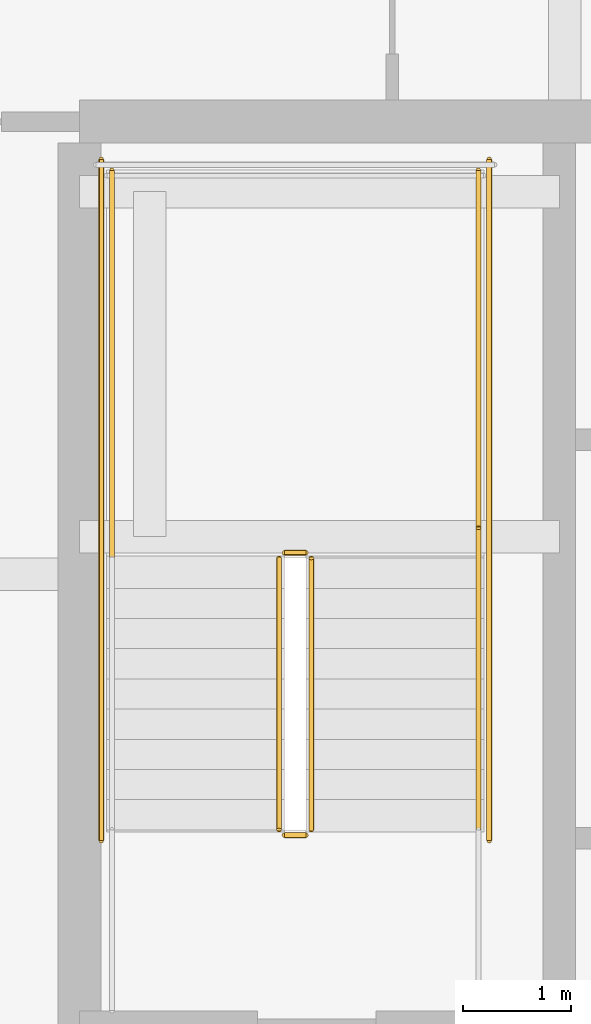
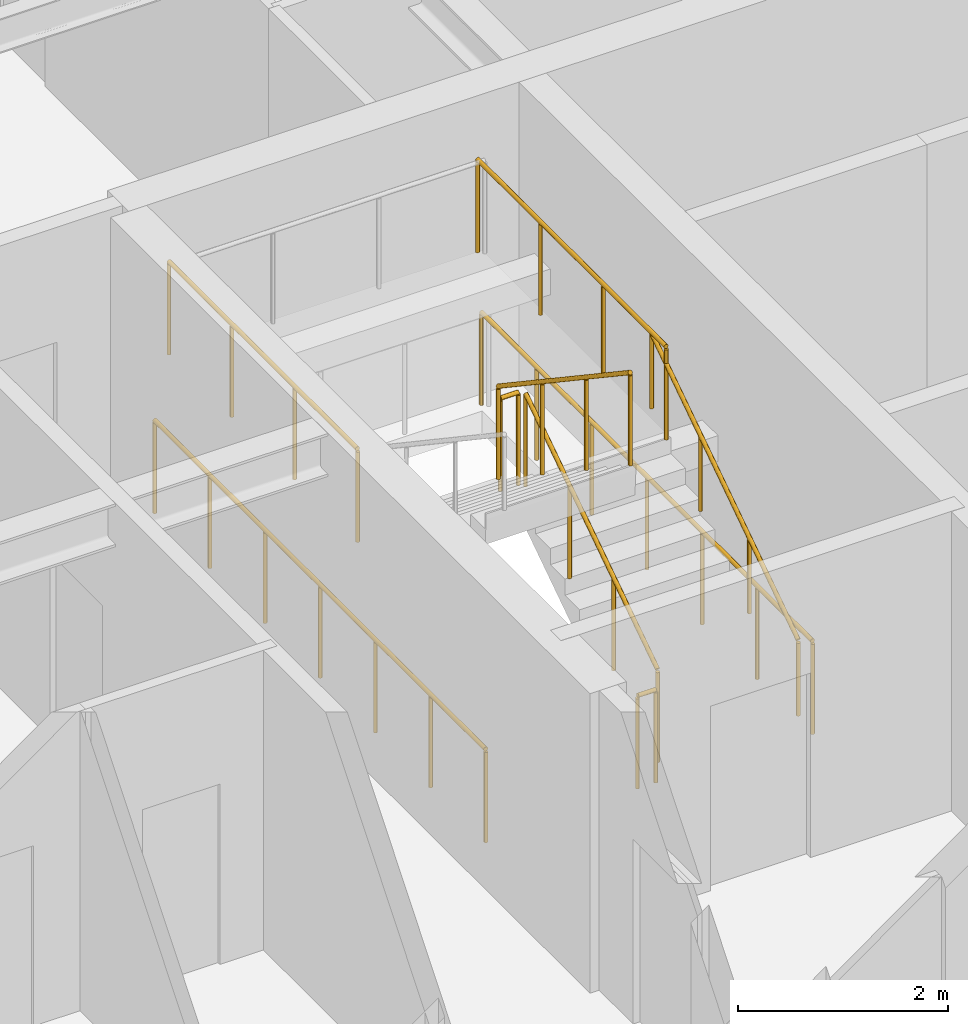
# One storey, part 35 of 38: 9 railings.
"""IFC4 building model written with IfcOpenShell, lengths in metres."""

from ifc_helpers import new_model, si_unit, direction, frame, origin, origin_2d, place, context, subcontext, project, spatial, circle, extrude, material, type_object, element, save


model = new_model("IFC4")

# Units and contexts
model_context = context("Model", 3, precision=1e-05, world=origin(), true_north=direction((0.0, 1.0)))
body_context = subcontext(model_context, "Body", "Model", "MODEL_VIEW")
ifc_project = project(units=[si_unit("LENGTHUNIT", "METRE"), si_unit("AREAUNIT", "SQUARE_METRE"), si_unit("VOLUMEUNIT", "CUBIC_METRE"), si_unit("PLANEANGLEUNIT", "RADIAN"), si_unit("MASSUNIT", "GRAM", prefix="KILO")], contexts=[model_context])

# Site, building, storey
site_placement = place(None, origin())
site = spatial("IfcSite", under=ifc_project, at=site_placement, CompositionType="ELEMENT")
building_placement = place(site_placement, origin())
building = spatial("IfcBuilding", under=site, at=building_placement, Name="Serunith Strait Residences", CompositionType="ELEMENT")
storey_placement = place(building_placement, frame((0.0, 0.0, 183.89990234375)))
storey = spatial("IfcBuildingStorey", under=building, at=storey_placement, Name="L46", CompositionType="ELEMENT", Elevation=183.89990234375)

# Railings
ifc_material = material(Name="Brushed stainless steel 316L", Category="steel")
railing_type_1 = type_object("IfcRailingType", Name="RLG-STAIR-GUARD", PredefinedType="BALUSTRADE", material=ifc_material)
railing_1_placement = place(storey_placement, frame((25.550048828125, 27.030029296875, 0.1875)))
element("IfcRailing", 1, at=railing_1_placement, inside=storey, type_object=railing_type_1, Name="L46 ST-1 stair guard 1", PredefinedType="BALUSTRADE", context=body_context, shape_type="SweptSolid", body=[
    extrude(circle(Radius=0.02392578125, at=origin_2d()), frame((0.0, 0.001708984375, 1.0771484375), z_axis=(0.0, 0.830909170722, 0.55640807867), x_axis=(-1.0, 0.0, 0.0)), (0.0, 0.0, 1.0), 3.02880859375),
    extrude(circle(Radius=0.02099609375, at=origin_2d()), origin(), (0.0, 0.0, 1.0), 1.050048828125),
    extrude(circle(Radius=0.02099609375, at=origin_2d()), frame((0.0, 0.840087890625, 0.5625)), (0.0, 0.0, 1.0), 1.050048828125),
    extrude(circle(Radius=0.02099609375, at=origin_2d()), frame((0.0, 1.679931640625, 1.125)), (0.0, 0.0, 1.0), 1.050048828125),
    extrude(circle(Radius=0.02099609375, at=origin_2d()), frame((0.0, 2.52001953125, 1.6875)), (0.0, 0.0, 1.0), 1.050048828125),
])
railing_2_placement = place(storey_placement, frame((25.5, 29.60009765625, 1.875)))
element("IfcRailing", 2, at=railing_2_placement, inside=storey, type_object=railing_type_1, Name="L46 ST-1 stair guard 2", PredefinedType="BALUSTRADE", context=body_context, shape_type="SweptSolid", body=[
    extrude(circle(Radius=0.02392578125, at=origin_2d()), frame((-0.001953125, 0.0, 1.076171875), z_axis=(-1.0, 0.0, 0.0), x_axis=(0.0, -1.0, 0.0)), (0.0, 0.0, 1.0), 0.196044921875),
    extrude(circle(Radius=0.02099609375, at=origin_2d()), origin(), (0.0, 0.0, 1.0), 1.050048828125),
    extrude(circle(Radius=0.02099609375, at=origin_2d()), frame((-0.199951171875, 0.0, 0.0)), (0.0, 0.0, 1.0), 1.050048828125),
])
for number, where, name in (
    (3, (27.10009765625, 29.550048828125, 1.875), "L46 ST-1 stair guard 3"),
    (4, (23.699951171875, 29.550048828125, 1.875), "L46 ST-1 stair guard 4"),
):
    element("IfcRailing", number, at=place(storey_placement, frame(where)), inside=storey, type_object=railing_type_1, Name=name, PredefinedType="BALUSTRADE", context=body_context, shape_type="SweptSolid", body=[
        extrude(circle(Radius=0.02392578125, at=origin_2d()), frame((0.0, 0.001953125, 1.076171875), z_axis=(0.0, 1.0, 0.0), x_axis=(-1.0, 0.0, 0.0)), (0.0, 0.0, 1.0), 3.595947265625),
        extrude(circle(Radius=0.02099609375, at=origin_2d()), origin(), (0.0, 0.0, 1.0), 1.050048828125),
        extrude(circle(Radius=0.02099609375, at=origin_2d()), frame((0.0, 1.199951171875, 0.0)), (0.0, 0.0, 1.0), 1.050048828125),
        extrude(circle(Radius=0.02099609375, at=origin_2d()), frame((0.0, 2.39990234375, 0.0)), (0.0, 0.0, 1.0), 1.050048828125),
        extrude(circle(Radius=0.02099609375, at=origin_2d()), frame((0.0, 3.599853515625, 0.0)), (0.0, 0.0, 1.0), 1.050048828125),
    ])
railing_3_placement = place(storey_placement, frame((25.25, 29.550048828125, 2.0625)))
element("IfcRailing", 5, at=railing_3_placement, inside=storey, type_object=railing_type_1, Name="L46 ST-1 stair guard 6", PredefinedType="BALUSTRADE", context=body_context, shape_type="SweptSolid", body=[
    extrude(circle(Radius=0.02392578125, at=origin_2d()), frame((0.0, -0.001708984375, 1.0771484375), z_axis=(0.0, -0.830909170722, 0.55640807867), x_axis=(1.0, 0.0, 0.0)), (0.0, 0.0, 1.0), 3.02880859375),
    extrude(circle(Radius=0.02099609375, at=origin_2d()), origin(), (0.0, 0.0, 1.0), 1.050048828125),
    extrude(circle(Radius=0.02099609375, at=origin_2d()), frame((0.0, -0.840087890625, 0.5625)), (0.0, 0.0, 1.0), 1.050048828125),
    extrude(circle(Radius=0.02099609375, at=origin_2d()), frame((0.0, -1.679931640625, 1.125)), (0.0, 0.0, 1.0), 1.050048828125),
    extrude(circle(Radius=0.02099609375, at=origin_2d()), frame((0.0, -2.52001953125, 1.6875)), (0.0, 0.0, 1.0), 1.050048828125),
])
railing_4_placement = place(storey_placement, frame((25.5, 26.97998046875, 0.0)))
element("IfcRailing", 6, at=railing_4_placement, inside=storey, type_object=railing_type_1, Name="L46 ST-1 stair guard 7", PredefinedType="BALUSTRADE", context=body_context, shape_type="SweptSolid", body=[
    extrude(circle(Radius=0.02392578125, at=origin_2d()), frame((-0.001953125, 0.0, 1.076171875), z_axis=(-1.0, 0.0, 0.0), x_axis=(0.0, -1.0, 0.0)), (0.0, 0.0, 1.0), 0.196044921875),
    extrude(circle(Radius=0.02099609375, at=origin_2d()), origin(), (0.0, 0.0, 1.0), 1.050048828125),
    extrude(circle(Radius=0.02099609375, at=origin_2d()), frame((-0.199951171875, 0.0, 0.0)), (0.0, 0.0, 1.0), 1.050048828125),
])
for number, where, name in (
    (7, (27.199951171875, 26.929931640625, 0.0), "L46 ST-1 stair guard 10"),
    (8, (23.60009765625, 26.929931640625, 0.0), "L46 ST-1 stair guard 11"),
):
    element("IfcRailing", number, at=place(storey_placement, frame(where)), inside=storey, type_object=railing_type_1, Name=name, PredefinedType="BALUSTRADE", context=body_context, shape_type="SweptSolid", body=[
        extrude(circle(Radius=0.02392578125, at=origin_2d()), frame((0.0, 0.001953125, 1.076171875), z_axis=(0.0, 1.0, 0.0), x_axis=(-1.0, 0.0, 0.0)), (0.0, 0.0, 1.0), 6.316162109375),
        extrude(circle(Radius=0.02099609375, at=origin_2d()), origin(), (0.0, 0.0, 1.0), 1.050048828125),
        extrude(circle(Radius=0.02099609375, at=origin_2d()), frame((0.0, 1.05322265625, 0.0)), (0.0, 0.0, 1.0), 1.050048828125),
        extrude(circle(Radius=0.02099609375, at=origin_2d()), frame((0.0, 2.106689453125, 0.0)), (0.0, 0.0, 1.0), 1.050048828125),
        extrude(circle(Radius=0.02099609375, at=origin_2d()), frame((0.0, 3.16015625, 0.0)), (0.0, 0.0, 1.0), 1.050048828125),
        extrude(circle(Radius=0.02099609375, at=origin_2d()), frame((0.0, 4.21337890625, 0.0)), (0.0, 0.0, 1.0), 1.050048828125),
        extrude(circle(Radius=0.02099609375, at=origin_2d()), frame((0.0, 5.2666015625, 0.0)), (0.0, 0.0, 1.0), 1.050048828125),
        extrude(circle(Radius=0.02099609375, at=origin_2d()), frame((0.0, 6.320068359375, 0.0)), (0.0, 0.0, 1.0), 1.050048828125),
    ])
railing_type_2 = type_object("IfcRailingType", Name="RLG-STAIR-HR", PredefinedType="HANDRAIL", material=ifc_material)
railing_5_placement = place(storey_placement, frame((27.10009765625, 27.030029296875, 0.1875)))
element("IfcRailing", 9, at=railing_5_placement, inside=storey, type_object=railing_type_2, Name="L46 ST-1 stair handrail 1", PredefinedType="HANDRAIL", context=body_context, shape_type="SweptSolid", body=[
    extrude(circle(Radius=0.02392578125, at=origin_2d()), frame((0.0, 0.001708984375, 0.876953125), z_axis=(0.0, 0.830208209119, 0.557453432594), x_axis=(-1.0, 0.0, 0.0)), (0.0, 0.0, 1.0), 3.36865234375),
    extrude(circle(Radius=0.02099609375, at=origin_2d()), origin(), (0.0, 0.0, 1.0), 0.849853515625),
    extrude(circle(Radius=0.02099609375, at=origin_2d()), frame((0.0, 0.933349609375, 0.626708984375)), (0.0, 0.0, 1.0), 0.849853515625),
    extrude(circle(Radius=0.02099609375, at=origin_2d()), frame((0.0, 1.86669921875, 1.25341796875)), (0.0, 0.0, 1.0), 0.849853515625),
    extrude(circle(Radius=0.02099609375, at=origin_2d()), frame((0.0, 2.800048828125, 1.880126953125)), (0.0, 0.0, 1.0), 0.849853515625),
])

save(model, "model.ifc")
